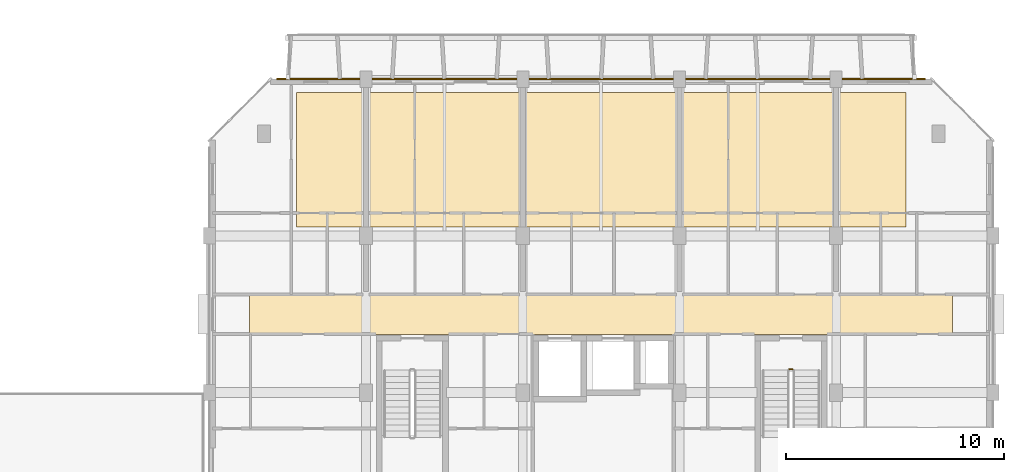
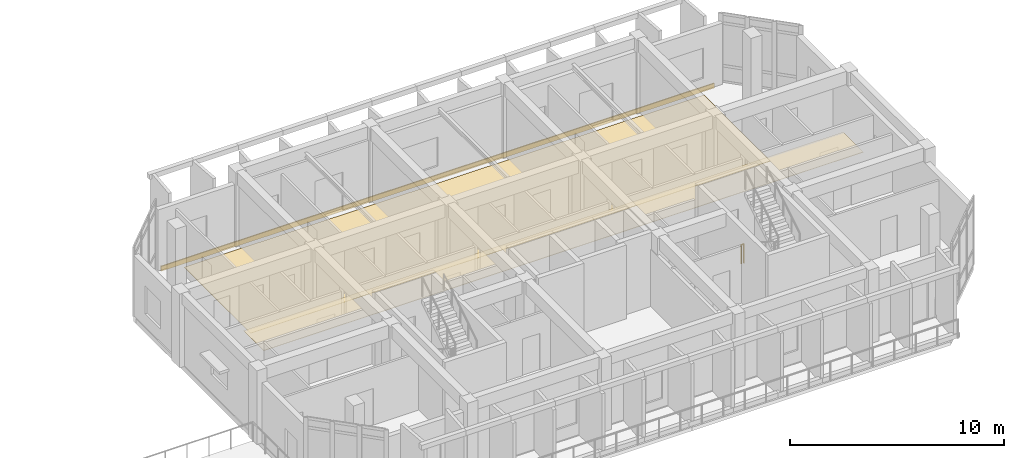
# One storey, part 84 of 85: 3 coverings, 1 railing.
"""IFC4 building model written with IfcOpenShell, lengths in metres."""

from ifc_helpers import new_model, si_unit, direction, frame, origin, origin_2d, place, context, subcontext, project, spatial, polyline, rectangle, circle, outline, extrude, material, layer, layer_set, type_object, element, save


model = new_model("IFC4")

# Units and contexts
model_context = context("Model", 3, precision=1e-05, world=origin(), true_north=direction((0.0, 1.0)))
body_context = subcontext(model_context, "Body", "Model", "MODEL_VIEW")
ifc_project = project(units=[si_unit("LENGTHUNIT", "METRE"), si_unit("AREAUNIT", "SQUARE_METRE"), si_unit("VOLUMEUNIT", "CUBIC_METRE"), si_unit("PLANEANGLEUNIT", "RADIAN"), si_unit("MASSUNIT", "GRAM", prefix="KILO")], contexts=[model_context])

# Site, building, storey
site_placement = place(None, origin())
site = spatial("IfcSite", under=ifc_project, at=site_placement, CompositionType="ELEMENT")
building_placement = place(site_placement, origin())
building = spatial("IfcBuilding", under=site, at=building_placement, Name="Ochrevale Crest", CompositionType="ELEMENT")
storey_placement = place(building_placement, frame((0.0, 0.0, 4.5)))
storey = spatial("IfcBuildingStorey", under=building, at=storey_placement, Name="L01", CompositionType="ELEMENT", Elevation=4.5)

# Coverings
ifc_material_1 = material(Name="Gypsum plasterboard", Category="gypsum")
ifc_layer_1 = layer(ifc_material_1, 0.02490234375)
ifc_layer_set_1 = layer_set([ifc_layer_1], Name="Gypsum plasterboard")
covering_type_1 = type_object("IfcCoveringType", Name="COV-CEIL-GYP", PredefinedType="CEILING", material=ifc_layer_set_1)
covering_1_placement = place(storey_placement, frame((0.0, 0.0, 2.75)))
element("IfcCovering", 1, at=covering_1_placement, inside=storey, type_object=covering_type_1, Name="Block D L01 acoustic corridor ceiling", PredefinedType="CEILING", context=body_context, shape_type="SweptSolid", body=[
    extrude(outline(polyline([(131.449951171875, 81.860107421875), (163.75, 81.860107421875), (163.75, 83.739990234375), (131.449951171875, 83.739990234375), (131.449951171875, 81.860107421875)])), origin(), (0.0, 0.0, 1.0), 0.02490234375),
])
ifc_material_2 = material(Name="Glazed terracotta rainscreen tile", Category="masonry")
ifc_layer_2 = layer(ifc_material_2, 0.048095703125)
ifc_layer_set_2 = layer_set([ifc_layer_2], Name="Glazed terracotta rainscreen tile")
covering_type_2 = type_object("IfcCoveringType", Name="COV-CLAD-TER", PredefinedType="CLADDING", material=ifc_layer_set_2)
covering_2_placement = place(storey_placement, frame((147.60009765625, 93.612548828125, -0.26025390625), z_axis=(0.0, 0.0, 1.0), x_axis=(-1.0, 0.0, 0.0)))
element("IfcCovering", 2, at=covering_2_placement, inside=storey, type_object=covering_type_2, Name="Block D L01 terracotta slab-edge spandrel cladding", PredefinedType="CLADDING", context=body_context, shape_type="SweptSolid", body=[
    extrude(rectangle(XDim=29.800048828125, YDim=0.06005859375, at=origin_2d()), origin(), (0.0, 0.0, 1.0), 0.280029296875),
])
ifc_material_3 = material(Name="Engineered spotted-gum hardwood flooring", Category="wood")
ifc_layer_3 = layer(ifc_material_3, 0.02001953125)
ifc_layer_set_3 = layer_set([ifc_layer_3], Name="Engineered spotted-gum hardwood flooring")
covering_type_3 = type_object("IfcCoveringType", Name="COV-FLR-TIM", PredefinedType="FLOORING", material=ifc_layer_set_3)
covering_3_placement = place(storey_placement, origin())
element("IfcCovering", 3, at=covering_3_placement, inside=storey, type_object=covering_type_3, Name="Block D L01 spotted-gum apartment flooring", PredefinedType="FLOORING", context=body_context, shape_type="SweptSolid", body=[
    extrude(outline(polyline([(133.60009765625, 86.800048828125), (161.60009765625, 86.800048828125), (161.60009765625, 93.0), (133.60009765625, 93.0), (133.60009765625, 86.800048828125)])), origin(), (0.0, 0.0, 1.0), 0.02001953125),
])

# Railing
ifc_material_4 = material(Name="Galvanised steel", Category="steel")
railing_type = type_object("IfcRailingType", Name="RL-ST-GUARD", PredefinedType="BALUSTRADE", material=ifc_material_4)
railing_placement = place(storey_placement, frame((156.25, 80.27490234375, 0.0)))
element("IfcRailing", 4, at=railing_placement, inside=storey, type_object=railing_type, Name="L01 ST-D2 stair guard 4", PredefinedType="BALUSTRADE", context=body_context, shape_type="SweptSolid", body=[
    extrude(circle(Radius=0.02392578125, at=origin_2d()), frame((0.0, 0.0, 1.076171875), z_axis=(1.0, 0.0, 0.0), x_axis=(0.0, 1.0, 0.0)), (0.0, 0.0, 1.0), 0.14990234375),
    extrude(circle(Radius=0.02099609375, at=origin_2d()), origin(), (0.0, 0.0, 1.0), 1.052001953125),
    extrude(circle(Radius=0.02099609375, at=origin_2d()), frame((0.14990234375, 0.0, 0.0)), (0.0, 0.0, 1.0), 1.052001953125),
])

save(model, "model.ifc")
